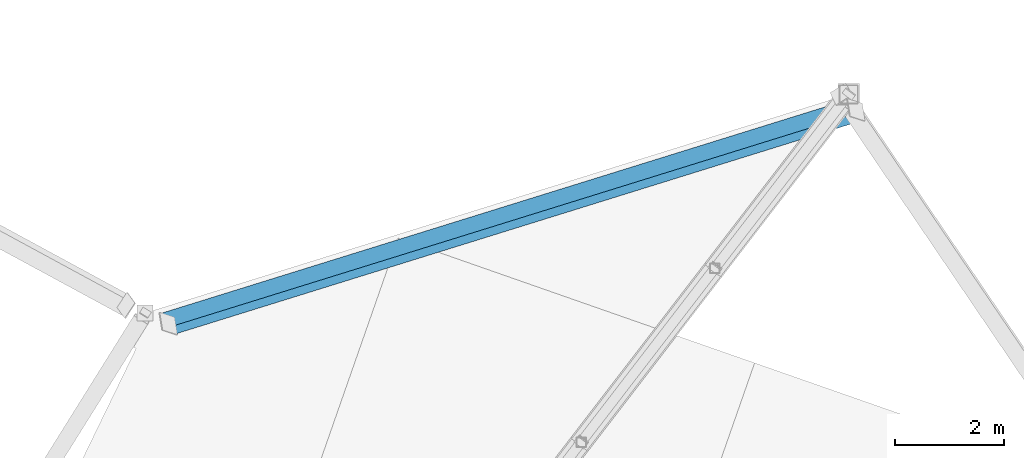
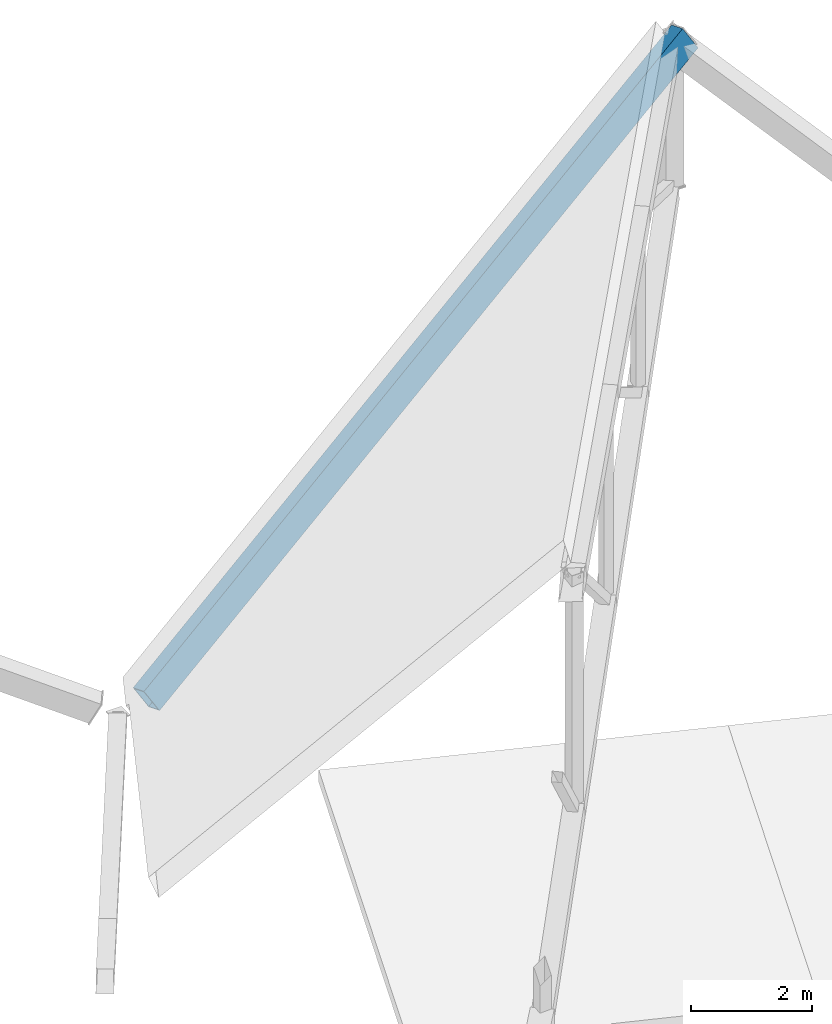
# One storey, part 109 of 188: 1 beam.
"""IFC4 building model written with IfcOpenShell, lengths in metres."""

from ifc_helpers import new_model, si_unit, direction, frame, origin, origin_2d, place, context, subcontext, project, spatial, hollow_rectangle, extrude, material, material_profile, profile_set, type_object, element, save


model = new_model("IFC4")

# Units and contexts
model_context = context("Model", 3, precision=1e-05, world=origin(), true_north=direction((0.0, 1.0)))
body_context = subcontext(model_context, "Body", "Model", "MODEL_VIEW")
ifc_project = project(units=[si_unit("LENGTHUNIT", "METRE"), si_unit("AREAUNIT", "SQUARE_METRE"), si_unit("VOLUMEUNIT", "CUBIC_METRE"), si_unit("PLANEANGLEUNIT", "RADIAN"), si_unit("MASSUNIT", "GRAM", prefix="KILO")], contexts=[model_context])

# Site, building, storey
site_placement = place(None, origin())
site = spatial("IfcSite", under=ifc_project, at=site_placement, CompositionType="ELEMENT")
building_placement = place(site_placement, origin())
building = spatial("IfcBuilding", under=site, at=building_placement, Name="Meseta Stadium", CompositionType="ELEMENT")
storey_placement = place(building_placement, frame((0.0, 0.0, 30.0)))
storey = spatial("IfcBuildingStorey", under=building, at=storey_placement, Name="ROOF", CompositionType="ELEMENT", Elevation=30.0)

# Beam
ifc_material = material(Name="Steel S355", Category="steel")
ifc_material_profile = material_profile(ifc_material, hollow_rectangle(XDim=0.300048828125, YDim=0.5, WallThickness=0.01611328125, at=origin_2d()), Name="RHS 500x300x16")
ifc_profile_set = profile_set([ifc_material_profile], Name="Steel S355")
beam_type = type_object("IfcBeamType", Name="RHS 500x300x16 rim ring beam", PredefinedType="BEAM", material=ifc_profile_set)
beam_placement = place(storey_placement, frame((64.420654296875, 102.00390625, 10.48095703125), z_axis=(-0.852363962511, -0.264973906285, -0.450848649107), x_axis=(0.151219751769, -0.950183262467, 0.272551562832)))
element("IfcBeam", 1, at=beam_placement, inside=storey, type_object=beam_type, Name="RIM RING BEAM 15", PredefinedType="BEAM", context=body_context, shape_type="SweptSolid", body=[
    extrude(hollow_rectangle(XDim=0.300048828125, YDim=0.5, WallThickness=0.01611328125, at=origin_2d()), origin(), (0.0, 0.0, 1.0), 14.72265625),
])

save(model, "model.ifc")
